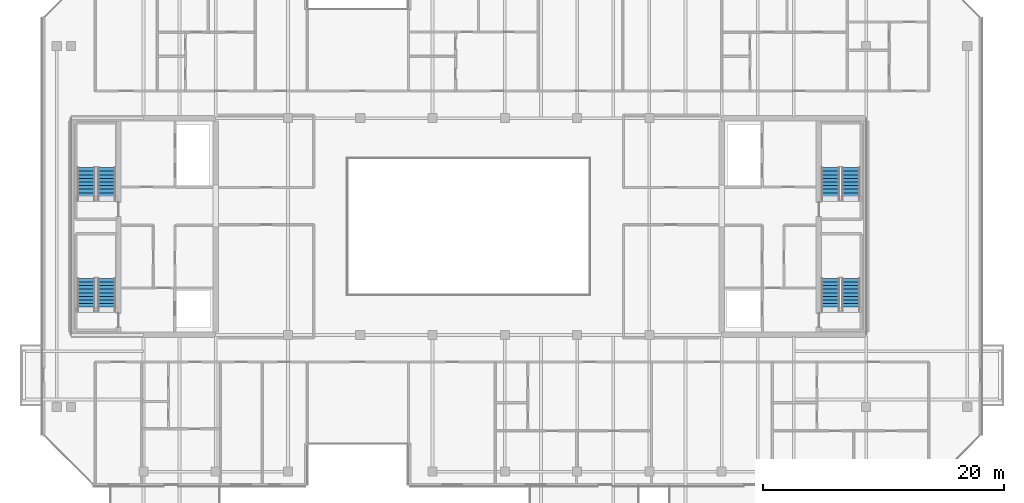
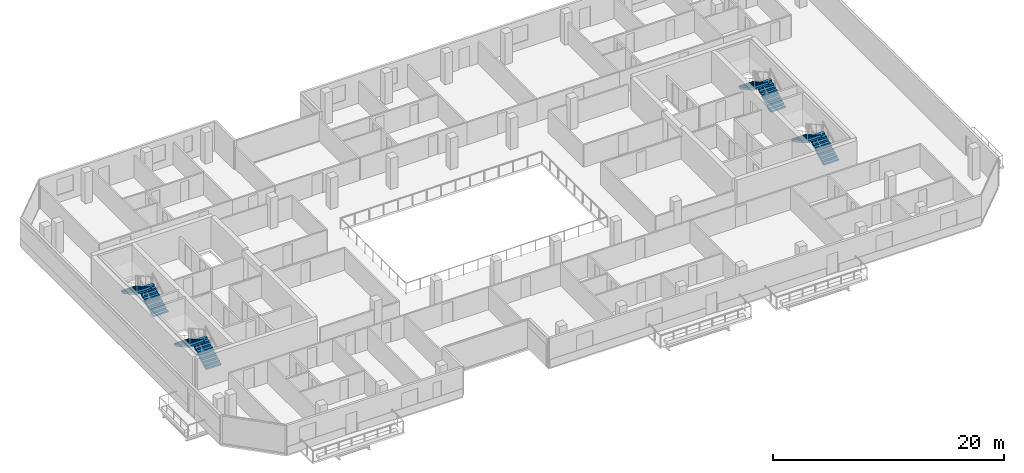
# One storey, part 24 of 28: 8 stair flights, 4 elements without a shape of their own.
"""IFC4 building model written with IfcOpenShell, lengths in metres."""

from ifc_helpers import new_model, si_unit, direction, frame, origin, place, context, subcontext, project, spatial, polyline, outline, extrude, material, type_object, element, aggregate, save


model = new_model("IFC4")

# Units and contexts
model_context = context("Model", 3, precision=1e-05, world=origin(), true_north=direction((0.0, 1.0)))
body_context = subcontext(model_context, "Body", "Model", "MODEL_VIEW")
ifc_project = project(units=[si_unit("LENGTHUNIT", "METRE"), si_unit("AREAUNIT", "SQUARE_METRE"), si_unit("VOLUMEUNIT", "CUBIC_METRE"), si_unit("PLANEANGLEUNIT", "RADIAN"), si_unit("MASSUNIT", "GRAM", prefix="KILO")], contexts=[model_context])

# Site, building, storey
site_placement = place(None, origin())
site = spatial("IfcSite", under=ifc_project, at=site_placement, CompositionType="ELEMENT")
building_placement = place(site_placement, origin())
building = spatial("IfcBuilding", under=site, at=building_placement, Name="Tanjung Sevakor Pilgrim Tower", CompositionType="ELEMENT")
storey_placement = place(building_placement, frame((0.0, 0.0, 222.75)))
storey = spatial("IfcBuildingStorey", under=building, at=storey_placement, Name="L62", CompositionType="ELEMENT", Elevation=222.75)

# Stair, stair flights
ifc_material_1 = material(Name="Concrete C40/50", Category="concrete")
stair_type = type_object("IfcStairType", Name="STAIR-ST-CR150", PredefinedType="HALF_TURN_STAIR", material=ifc_material_1)
stair_1_placement = place(storey_placement, origin())
stair_1 = element("IfcStair", 1, at=stair_1_placement, inside=storey, type_object=stair_type, Name="L62 West Core Exit Stair 1", PredefinedType="HALF_TURN_STAIR")
ifc_material_2 = material(Name="Concrete C40/50", Category="concrete")
stair_flight_type = type_object("IfcStairFlightType", Name="FLIGHT-ST-CR150", PredefinedType="STRAIGHT", material=ifc_material_2)
stair_flight_1_placement = place(storey_placement, frame((26.949951171875, 26.60009765625, 0.0), z_axis=(0.0, 0.0, 1.0), x_axis=(0.0, 1.0, 0.0)))
stair_flight_1 = element("IfcStairFlight", 2, at=stair_flight_1_placement, type_object=stair_flight_type, Name="TS-W1 flight 1", NumberOfRisers=10, NumberOfTreads=9, PredefinedType="STRAIGHT", RiserHeight=0.165, TreadLength=0.3, context=body_context, shape_type="SweptSolid", body=[
    extrude(outline(polyline([(0.0, 0.0), (0.0, 0.1650390625), (0.300048828125, 0.1650390625), (0.300048828125, 0.330078125), (0.60009765625, 0.330078125), (0.60009765625, 0.4951171875), (0.89990234375, 0.4951171875), (0.89990234375, 0.659912109375), (1.199951171875, 0.659912109375), (1.199951171875, 0.824951171875), (1.5, 0.824951171875), (1.5, 0.989990234375), (1.800048828125, 0.989990234375), (1.800048828125, 1.155029296875), (2.10009765625, 1.155029296875), (2.10009765625, 1.320068359375), (2.39990234375, 1.320068359375), (2.39990234375, 1.485107421875), (2.699951171875, 1.485107421875), (2.699951171875, 1.64990234375), (2.699951171875, 1.302490234375), (0.331787109375, 0.0), (0.0, 0.0)])), frame((0.0, 0.75, 0.0), z_axis=(0.0, -1.0, 0.0), x_axis=(1.0, 0.0, 0.0)), (0.0, 0.0, 1.0), 1.5),
])
stair_flight_2_placement = place(storey_placement, frame((25.25, 29.300048828125, 1.64990234375), z_axis=(0.0, 0.0, 1.0), x_axis=(0.0, -1.0, 0.0)))
stair_flight_2 = element("IfcStairFlight", 3, at=stair_flight_2_placement, type_object=stair_flight_type, Name="TS-W1 flight 2", NumberOfRisers=10, NumberOfTreads=9, PredefinedType="STRAIGHT", RiserHeight=0.165, TreadLength=0.3, context=body_context, shape_type="SweptSolid", body=[
    extrude(outline(polyline([(0.0, 0.0), (0.0, 0.1650390625), (0.300048828125, 0.1650390625), (0.300048828125, 0.330078125), (0.60009765625, 0.330078125), (0.60009765625, 0.4951171875), (0.89990234375, 0.4951171875), (0.89990234375, 0.659912109375), (1.199951171875, 0.659912109375), (1.199951171875, 0.824951171875), (1.5, 0.824951171875), (1.5, 0.989990234375), (1.800048828125, 0.989990234375), (1.800048828125, 1.155029296875), (2.10009765625, 1.155029296875), (2.10009765625, 1.320068359375), (2.39990234375, 1.320068359375), (2.39990234375, 1.485107421875), (2.699951171875, 1.485107421875), (2.699951171875, 1.64990234375), (2.699951171875, 1.302490234375), (0.331787109375, 0.0), (0.0, 0.0)])), frame((0.0, 0.75, 0.0), z_axis=(0.0, -1.0, 0.0), x_axis=(1.0, 0.0, 0.0)), (0.0, 0.0, 1.0), 1.5),
])
aggregate(stair_1, [stair_flight_1, stair_flight_2])

stair_2_placement = place(storey_placement, origin())
stair_2 = element("IfcStair", 4, at=stair_2_placement, inside=storey, type_object=stair_type, Name="L62 West Core Exit Stair 2", PredefinedType="HALF_TURN_STAIR")
stair_flight_3_placement = place(storey_placement, frame((26.949951171875, 35.800048828125, 0.0), z_axis=(0.0, 0.0, 1.0), x_axis=(0.0, 1.0, 0.0)))
stair_flight_3 = element("IfcStairFlight", 5, at=stair_flight_3_placement, type_object=stair_flight_type, Name="TS-W2 flight 1", NumberOfRisers=10, NumberOfTreads=9, PredefinedType="STRAIGHT", RiserHeight=0.165, TreadLength=0.3, context=body_context, shape_type="SweptSolid", body=[
    extrude(outline(polyline([(0.0, 0.0), (0.0, 0.1650390625), (0.300048828125, 0.1650390625), (0.300048828125, 0.330078125), (0.60009765625, 0.330078125), (0.60009765625, 0.4951171875), (0.89990234375, 0.4951171875), (0.89990234375, 0.659912109375), (1.199951171875, 0.659912109375), (1.199951171875, 0.824951171875), (1.5, 0.824951171875), (1.5, 0.989990234375), (1.800048828125, 0.989990234375), (1.800048828125, 1.155029296875), (2.10009765625, 1.155029296875), (2.10009765625, 1.320068359375), (2.39990234375, 1.320068359375), (2.39990234375, 1.485107421875), (2.699951171875, 1.485107421875), (2.699951171875, 1.64990234375), (2.699951171875, 1.302490234375), (0.331787109375, 0.0), (0.0, 0.0)])), frame((0.0, 0.75, 0.0), z_axis=(0.0, -1.0, 0.0), x_axis=(1.0, 0.0, 0.0)), (0.0, 0.0, 1.0), 1.5),
])
stair_flight_4_placement = place(storey_placement, frame((25.25, 38.5, 1.64990234375), z_axis=(0.0, 0.0, 1.0), x_axis=(0.0, -1.0, 0.0)))
stair_flight_4 = element("IfcStairFlight", 6, at=stair_flight_4_placement, type_object=stair_flight_type, Name="TS-W2 flight 2", NumberOfRisers=10, NumberOfTreads=9, PredefinedType="STRAIGHT", RiserHeight=0.165, TreadLength=0.3, context=body_context, shape_type="SweptSolid", body=[
    extrude(outline(polyline([(0.0, 0.0), (0.0, 0.1650390625), (0.300048828125, 0.1650390625), (0.300048828125, 0.330078125), (0.60009765625, 0.330078125), (0.60009765625, 0.4951171875), (0.89990234375, 0.4951171875), (0.89990234375, 0.659912109375), (1.199951171875, 0.659912109375), (1.199951171875, 0.824951171875), (1.5, 0.824951171875), (1.5, 0.989990234375), (1.800048828125, 0.989990234375), (1.800048828125, 1.155029296875), (2.10009765625, 1.155029296875), (2.10009765625, 1.320068359375), (2.39990234375, 1.320068359375), (2.39990234375, 1.485107421875), (2.699951171875, 1.485107421875), (2.699951171875, 1.64990234375), (2.699951171875, 1.302490234375), (0.331787109375, 0.0), (0.0, 0.0)])), frame((0.0, 0.75, 0.0), z_axis=(0.0, -1.0, 0.0), x_axis=(1.0, 0.0, 0.0)), (0.0, 0.0, 1.0), 1.5),
])
aggregate(stair_2, [stair_flight_3, stair_flight_4])

stair_3_placement = place(storey_placement, origin())
stair_3 = element("IfcStair", 7, at=stair_3_placement, inside=storey, type_object=stair_type, Name="L62 East Core Exit Stair 1", PredefinedType="HALF_TURN_STAIR")
stair_flight_5_placement = place(storey_placement, frame((88.75, 26.60009765625, 0.0), z_axis=(0.0, 0.0, 1.0), x_axis=(0.0, 1.0, 0.0)))
stair_flight_5 = element("IfcStairFlight", 8, at=stair_flight_5_placement, type_object=stair_flight_type, Name="TS-E1 flight 1", NumberOfRisers=10, NumberOfTreads=9, PredefinedType="STRAIGHT", RiserHeight=0.165, TreadLength=0.3, context=body_context, shape_type="SweptSolid", body=[
    extrude(outline(polyline([(0.0, 0.0), (0.0, 0.1650390625), (0.300048828125, 0.1650390625), (0.300048828125, 0.330078125), (0.60009765625, 0.330078125), (0.60009765625, 0.4951171875), (0.89990234375, 0.4951171875), (0.89990234375, 0.659912109375), (1.199951171875, 0.659912109375), (1.199951171875, 0.824951171875), (1.5, 0.824951171875), (1.5, 0.989990234375), (1.800048828125, 0.989990234375), (1.800048828125, 1.155029296875), (2.10009765625, 1.155029296875), (2.10009765625, 1.320068359375), (2.39990234375, 1.320068359375), (2.39990234375, 1.485107421875), (2.699951171875, 1.485107421875), (2.699951171875, 1.64990234375), (2.699951171875, 1.302490234375), (0.331787109375, 0.0), (0.0, 0.0)])), frame((0.0, 0.75, 0.0), z_axis=(0.0, -1.0, 0.0), x_axis=(1.0, 0.0, 0.0)), (0.0, 0.0, 1.0), 1.5),
])
stair_flight_6_placement = place(storey_placement, frame((87.050048828125, 29.300048828125, 1.64990234375), z_axis=(0.0, 0.0, 1.0), x_axis=(0.0, -1.0, 0.0)))
stair_flight_6 = element("IfcStairFlight", 9, at=stair_flight_6_placement, type_object=stair_flight_type, Name="TS-E1 flight 2", NumberOfRisers=10, NumberOfTreads=9, PredefinedType="STRAIGHT", RiserHeight=0.165, TreadLength=0.3, context=body_context, shape_type="SweptSolid", body=[
    extrude(outline(polyline([(0.0, 0.0), (0.0, 0.1650390625), (0.300048828125, 0.1650390625), (0.300048828125, 0.330078125), (0.60009765625, 0.330078125), (0.60009765625, 0.4951171875), (0.89990234375, 0.4951171875), (0.89990234375, 0.659912109375), (1.199951171875, 0.659912109375), (1.199951171875, 0.824951171875), (1.5, 0.824951171875), (1.5, 0.989990234375), (1.800048828125, 0.989990234375), (1.800048828125, 1.155029296875), (2.10009765625, 1.155029296875), (2.10009765625, 1.320068359375), (2.39990234375, 1.320068359375), (2.39990234375, 1.485107421875), (2.699951171875, 1.485107421875), (2.699951171875, 1.64990234375), (2.699951171875, 1.302490234375), (0.331787109375, 0.0), (0.0, 0.0)])), frame((0.0, 0.75, 0.0), z_axis=(0.0, -1.0, 0.0), x_axis=(1.0, 0.0, 0.0)), (0.0, 0.0, 1.0), 1.5),
])
aggregate(stair_3, [stair_flight_5, stair_flight_6])

stair_4_placement = place(storey_placement, origin())
stair_4 = element("IfcStair", 10, at=stair_4_placement, inside=storey, type_object=stair_type, Name="L62 East Core Exit Stair 2", PredefinedType="HALF_TURN_STAIR")
stair_flight_7_placement = place(storey_placement, frame((88.75, 35.800048828125, 0.0), z_axis=(0.0, 0.0, 1.0), x_axis=(0.0, 1.0, 0.0)))
stair_flight_7 = element("IfcStairFlight", 11, at=stair_flight_7_placement, type_object=stair_flight_type, Name="TS-E2 flight 1", NumberOfRisers=10, NumberOfTreads=9, PredefinedType="STRAIGHT", RiserHeight=0.165, TreadLength=0.3, context=body_context, shape_type="SweptSolid", body=[
    extrude(outline(polyline([(0.0, 0.0), (0.0, 0.1650390625), (0.300048828125, 0.1650390625), (0.300048828125, 0.330078125), (0.60009765625, 0.330078125), (0.60009765625, 0.4951171875), (0.89990234375, 0.4951171875), (0.89990234375, 0.659912109375), (1.199951171875, 0.659912109375), (1.199951171875, 0.824951171875), (1.5, 0.824951171875), (1.5, 0.989990234375), (1.800048828125, 0.989990234375), (1.800048828125, 1.155029296875), (2.10009765625, 1.155029296875), (2.10009765625, 1.320068359375), (2.39990234375, 1.320068359375), (2.39990234375, 1.485107421875), (2.699951171875, 1.485107421875), (2.699951171875, 1.64990234375), (2.699951171875, 1.302490234375), (0.331787109375, 0.0), (0.0, 0.0)])), frame((0.0, 0.75, 0.0), z_axis=(0.0, -1.0, 0.0), x_axis=(1.0, 0.0, 0.0)), (0.0, 0.0, 1.0), 1.5),
])
stair_flight_8_placement = place(storey_placement, frame((87.050048828125, 38.5, 1.64990234375), z_axis=(0.0, 0.0, 1.0), x_axis=(0.0, -1.0, 0.0)))
stair_flight_8 = element("IfcStairFlight", 12, at=stair_flight_8_placement, type_object=stair_flight_type, Name="TS-E2 flight 2", NumberOfRisers=10, NumberOfTreads=9, PredefinedType="STRAIGHT", RiserHeight=0.165, TreadLength=0.3, context=body_context, shape_type="SweptSolid", body=[
    extrude(outline(polyline([(0.0, 0.0), (0.0, 0.1650390625), (0.300048828125, 0.1650390625), (0.300048828125, 0.330078125), (0.60009765625, 0.330078125), (0.60009765625, 0.4951171875), (0.89990234375, 0.4951171875), (0.89990234375, 0.659912109375), (1.199951171875, 0.659912109375), (1.199951171875, 0.824951171875), (1.5, 0.824951171875), (1.5, 0.989990234375), (1.800048828125, 0.989990234375), (1.800048828125, 1.155029296875), (2.10009765625, 1.155029296875), (2.10009765625, 1.320068359375), (2.39990234375, 1.320068359375), (2.39990234375, 1.485107421875), (2.699951171875, 1.485107421875), (2.699951171875, 1.64990234375), (2.699951171875, 1.302490234375), (0.331787109375, 0.0), (0.0, 0.0)])), frame((0.0, 0.75, 0.0), z_axis=(0.0, -1.0, 0.0), x_axis=(1.0, 0.0, 0.0)), (0.0, 0.0, 1.0), 1.5),
])
aggregate(stair_4, [stair_flight_7, stair_flight_8])

save(model, "model.ifc")
